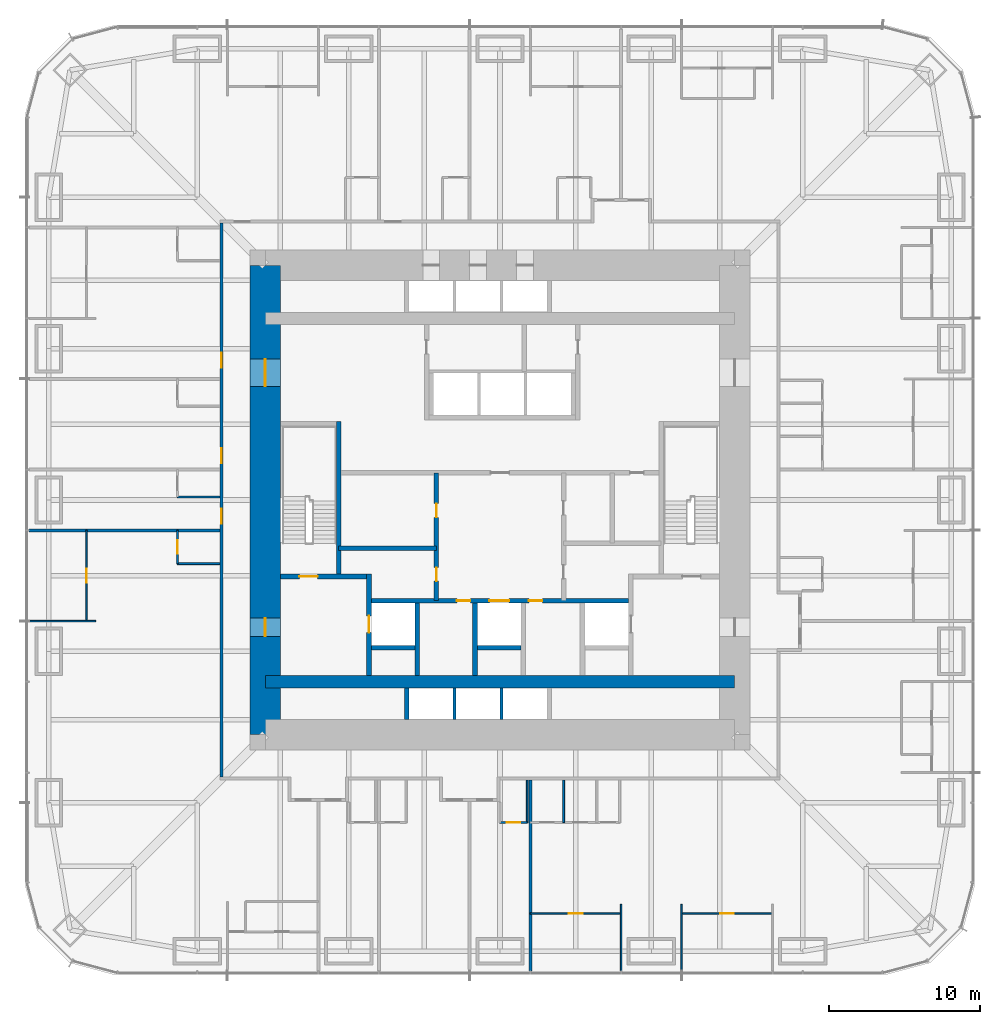
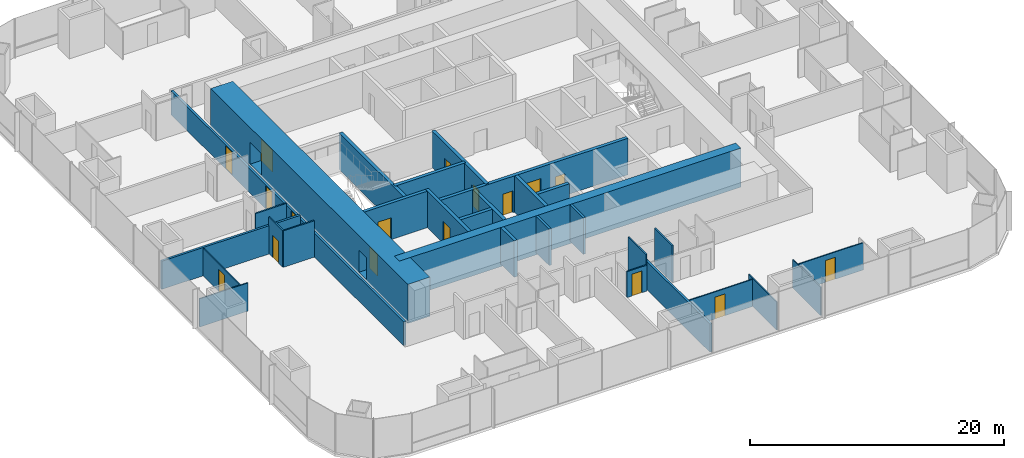
# One storey, part 12 of 16: 30 walls, 17 doors, 17 openings.
"""IFC4 building model written with IfcOpenShell, lengths in metres."""

from ifc_helpers import new_model, si_unit, direction, frame, frame_2d, origin, place, context, subcontext, project, spatial, rectangle, extrude, material, layer, layer_set, type_object, element, fill, save


model = new_model("IFC4")

# Units and contexts
model_context = context("Model", 3, precision=1e-05, world=origin(), true_north=direction((0.0, 1.0)))
body_context = subcontext(model_context, "Body", "Model", "MODEL_VIEW")
ifc_project = project(units=[si_unit("LENGTHUNIT", "METRE"), si_unit("AREAUNIT", "SQUARE_METRE"), si_unit("VOLUMEUNIT", "CUBIC_METRE"), si_unit("PLANEANGLEUNIT", "RADIAN"), si_unit("MASSUNIT", "GRAM", prefix="KILO")], contexts=[model_context])

# Site, building, storey
site_placement = place(None, origin())
site = spatial("IfcSite", under=ifc_project, at=site_placement, CompositionType="ELEMENT")
building_placement = place(site_placement, origin())
building = spatial("IfcBuilding", under=site, at=building_placement, Name="Khuree Lantern Residences", CompositionType="ELEMENT")
storey_placement = place(building_placement, frame((0.0, 0.0, 66.0)))
storey = spatial("IfcBuildingStorey", under=building, at=storey_placement, Name="L16", CompositionType="ELEMENT", Elevation=66.0)

# Wall
ifc_material_1 = material(Name="Moisture-resistant gypsum board on steel studs", Category="steel")
ifc_layer_1 = layer(ifc_material_1, 0.125)
ifc_layer_set_1 = layer_set([ifc_layer_1], Name="BATHROOM WALL BTW125")
wall_type_1 = type_object("IfcWallType", Name="BATHROOM WALL BTW125", PredefinedType="PARTITIONING", material=ifc_layer_set_1)
wall_1_placement = place(storey_placement, frame((-18.5, 0.199951171875, 0.0), z_axis=(0.0, 0.0, 1.0), x_axis=(-1.0, 0.0, 0.0)))
element("IfcWall", 1, at=wall_1_placement, inside=storey, type_object=wall_type_1, Name="L16 BATHROOM WALL 08", PredefinedType="PARTITIONING", context=body_context, shape_type="SweptSolid", body=[
    extrude(rectangle(XDim=2.800048828125, YDim=0.125, at=frame_2d((1.39990234375, 0.0))), origin(), (0.0, 0.0, 1.0), 2.491943359375),
])

# Wall, opening, door
wall_2_placement = place(storey_placement, frame((-21.300048828125, -2.0, 0.0), z_axis=(0.0, 0.0, 1.0), x_axis=(0.0, -1.0, 0.0)))
wall_2 = element("IfcWall", 2, at=wall_2_placement, inside=storey, type_object=wall_type_1, Name="L16 BATHROOM WALL 09", PredefinedType="PARTITIONING", context=body_context, shape_type="SweptSolid", body=[
    extrude(rectangle(XDim=2.199951171875, YDim=0.125, at=frame_2d((1.10009765625, 0.0))), origin(), (0.0, 0.0, 1.0), 3.5),
])
opening_1_placement = place(wall_2_placement, frame((0.64990234375, 0.0, 0.0)))
opening_1 = element("IfcOpeningElement", 3, at=opening_1_placement, cuts=wall_2, Name="Opening 16-053", PredefinedType="OPENING", context=body_context, shape_type="SweptSolid", body=[
    extrude(rectangle(XDim=0.89990234375, YDim=2.10009765625, at=frame_2d((0.449951171875, 1.050048828125))), frame((0.0, 0.072509765625, 0.0), z_axis=(0.0, -1.0, 0.0), x_axis=(1.0, 0.0, 0.0)), (0.0, 0.0, 1.0), 0.14501953125),
])
ifc_material_2 = material(Name="Timber door leaf in hardwood frame", Category="wood")
door_type_1 = type_object("IfcDoorType", Name="BATHROOM DOOR 900X2100", OperationType="SINGLE_SWING_LEFT", PredefinedType="DOOR", material=ifc_material_2)
door_1_placement = place(opening_1_placement, origin())
door_1 = element("IfcDoor", 4, at=door_1_placement, inside=storey, type_object=door_type_1, Name="Bathroom door 16-053", OperationType="SINGLE_SWING_LEFT", OverallHeight=2.10009765625, OverallWidth=0.89990234375, PredefinedType="DOOR", context=body_context, shape_type="SweptSolid", body=[
    extrude(rectangle(XDim=0.89990234375, YDim=2.10009765625, at=frame_2d((0.449951171875, 1.050048828125))), frame((0.0, 0.02490234375, 0.0), z_axis=(0.0, -1.0, 0.0), x_axis=(1.0, 0.0, 0.0)), (0.0, 0.0, 1.0), 0.050048828125),
])
fill(opening_1, door_1)

# Wall
wall_3_placement = place(storey_placement, frame((-18.5, -4.199951171875, 0.0), z_axis=(0.0, 0.0, 1.0), x_axis=(-1.0, 0.0, 0.0)))
element("IfcWall", 5, at=wall_3_placement, inside=storey, type_object=wall_type_1, Name="L16 BATHROOM WALL 09", PredefinedType="PARTITIONING", context=body_context, shape_type="SweptSolid", body=[
    extrude(rectangle(XDim=2.800048828125, YDim=0.125, at=frame_2d((1.39990234375, 0.0))), origin(), (0.0, 0.0, 1.0), 3.5),
])

# Wall, opening, door
wall_4_placement = place(storey_placement, frame((0.0, -21.300048828125, 0.0), z_axis=(0.0, 0.0, 1.0), x_axis=(1.0, 0.0, 0.0)))
wall_4 = element("IfcWall", 6, at=wall_4_placement, inside=storey, type_object=wall_type_1, Name="L16 BATHROOM WALL 12", PredefinedType="PARTITIONING", context=body_context, shape_type="SweptSolid", body=[
    extrude(rectangle(XDim=1.800048828125, YDim=0.125, at=frame_2d((0.89990234375, 0.0))), origin(), (0.0, 0.0, 1.0), 2.491943359375),
])
opening_2_placement = place(wall_4_placement, frame((0.449951171875, 0.0, 0.0)))
opening_2 = element("IfcOpeningElement", 7, at=opening_2_placement, cuts=wall_4, Name="Opening 16-059", PredefinedType="OPENING", context=body_context, shape_type="SweptSolid", body=[
    extrude(rectangle(XDim=0.89990234375, YDim=2.10009765625, at=frame_2d((0.449951171875, 1.050048828125))), frame((0.0, 0.072509765625, 0.0), z_axis=(0.0, -1.0, 0.0), x_axis=(1.0, 0.0, 0.0)), (0.0, 0.0, 1.0), 0.14501953125),
])
door_2_placement = place(opening_2_placement, origin())
door_2 = element("IfcDoor", 8, at=door_2_placement, inside=storey, type_object=door_type_1, Name="Bathroom door 16-059", OperationType="SINGLE_SWING_LEFT", OverallHeight=2.10009765625, OverallWidth=0.89990234375, PredefinedType="DOOR", context=body_context, shape_type="SweptSolid", body=[
    extrude(rectangle(XDim=0.89990234375, YDim=2.10009765625, at=frame_2d((0.449951171875, 1.050048828125))), frame((0.0, 0.02490234375, 0.0), z_axis=(0.0, -1.0, 0.0), x_axis=(1.0, 0.0, 0.0)), (0.0, 0.0, 1.0), 0.050048828125),
])
fill(opening_2, door_2)

# Walls
for number, where, z_axis, x_axis, name in (
    (9, (1.800048828125, -18.5, 0.0), (0.0, 0.0, 1.0), (0.0, -1.0, 0.0), "L16 BATHROOM WALL 12"),
    (10, (4.199951171875, -18.5, 0.0), (0.0, 0.0, 1.0), (0.0, -1.0, 0.0), "L16 BATHROOM WALL 13"),
):
    element("IfcWall", number, at=place(storey_placement, frame(where, z_axis=z_axis, x_axis=x_axis)), inside=storey, type_object=wall_type_1, Name=name, PredefinedType="PARTITIONING", context=body_context, shape_type="SweptSolid", body=[
        extrude(rectangle(XDim=2.800048828125, YDim=0.125, at=frame_2d((1.39990234375, 0.0))), origin(), (0.0, 0.0, 1.0), 3.5),
    ])

# Wall, opening, door
ifc_material_3 = material(Name="Dense concrete blockwork", Category="masonry")
ifc_layer_2 = layer(ifc_material_3, 0.300048828125)
ifc_layer_set_2 = layer_set([ifc_layer_2], Name="CORE PARTITION WALL CPW300 EI 120")
wall_type_2 = type_object("IfcWallType", Name="CORE PARTITION WALL CPW300 EI 120", PredefinedType="PARTITIONING", material=ifc_layer_set_2)
wall_5_placement = place(storey_placement, frame((-8.64990234375, -11.60009765625, 0.0), z_axis=(0.0, 0.0, 1.0), x_axis=(0.0, 1.0, 0.0)))
wall_5 = element("IfcWall", 11, at=wall_5_placement, inside=storey, type_object=wall_type_2, Name="L16 CORE WALL FL1W", PredefinedType="PARTITIONING", context=body_context, shape_type="SweptSolid", body=[
    extrude(rectangle(XDim=6.7001953125, YDim=0.300048828125, at=frame_2d((3.35009765625, 0.0))), origin(), (0.0, 0.0, 1.0), 3.5),
])
opening_3_placement = place(wall_5_placement, frame((2.85009765625, 0.0, 0.0)))
opening_3 = element("IfcOpeningElement", 12, at=opening_3_placement, cuts=wall_5, Name="Opening 16-007", PredefinedType="OPENING", context=body_context, shape_type="SweptSolid", body=[
    extrude(rectangle(XDim=1.10009765625, YDim=2.10009765625, at=frame_2d((0.550048828125, 1.050048828125))), frame((0.0, 0.16015625, 0.0), z_axis=(0.0, -1.0, 0.0), x_axis=(1.0, 0.0, 0.0)), (0.0, 0.0, 1.0), 0.320068359375),
])
ifc_material_4 = material(Name="Stainless steel lift landing door", Category="steel")
door_type_2 = type_object("IfcDoorType", Name="LIFT LANDING DOOR 1100X2100 E 120", OperationType="DOUBLE_DOOR_SLIDING", PredefinedType="DOOR", material=ifc_material_4)
door_3_placement = place(opening_3_placement, origin())
door_3 = element("IfcDoor", 13, at=door_3_placement, inside=storey, type_object=door_type_2, Name="Landing door FL1 16-007", OperationType="DOUBLE_DOOR_SLIDING", OverallHeight=2.10009765625, OverallWidth=1.10009765625, PredefinedType="DOOR", context=body_context, shape_type="SweptSolid", body=[
    extrude(rectangle(XDim=1.10009765625, YDim=2.10009765625, at=frame_2d((0.550048828125, 1.050048828125))), frame((0.0, 0.02490234375, 0.0), z_axis=(0.0, -1.0, 0.0), x_axis=(1.0, 0.0, 0.0)), (0.0, 0.0, 1.0), 0.050048828125),
])
fill(opening_3, door_3)

# Wall, openings, doors
wall_6_placement = place(storey_placement, frame((-8.5, -6.64990234375, 0.0), z_axis=(0.0, 0.0, 1.0), x_axis=(1.0, 0.0, 0.0)))
wall_6 = element("IfcWall", 14, at=wall_6_placement, inside=storey, type_object=wall_type_2, Name="L16 CORE WALL FLROW", PredefinedType="PARTITIONING", context=body_context, shape_type="SweptSolid", body=[
    extrude(rectangle(XDim=17.0, YDim=0.300048828125, at=frame_2d((8.5, 0.0))), origin(), (0.0, 0.0, 1.0), 3.5),
])
opening_4_placement = place(wall_6_placement, frame((7.800048828125, 0.0, 0.0)))
opening_4 = element("IfcOpeningElement", 15, at=opening_4_placement, cuts=wall_6, Name="Opening 16-012", PredefinedType="OPENING", context=body_context, shape_type="SweptSolid", body=[
    extrude(rectangle(XDim=1.300048828125, YDim=2.39990234375, at=frame_2d((0.64990234375, 1.199951171875))), frame((0.0, 0.16015625, 0.0), z_axis=(0.0, -1.0, 0.0), x_axis=(1.0, 0.0, 0.0)), (0.0, 0.0, 1.0), 0.320068359375),
])
opening_5_placement = place(wall_6_placement, frame((5.64990234375, 0.0, 0.0)))
opening_5 = element("IfcOpeningElement", 16, at=opening_5_placement, cuts=wall_6, Name="Opening 16-014", PredefinedType="OPENING", context=body_context, shape_type="SweptSolid", body=[
    extrude(rectangle(XDim=0.89990234375, YDim=2.10009765625, at=frame_2d((0.449951171875, 1.050048828125))), frame((0.0, 0.16015625, 0.0), z_axis=(0.0, -1.0, 0.0), x_axis=(1.0, 0.0, 0.0)), (0.0, 0.0, 1.0), 0.320068359375),
])
opening_6_placement = place(wall_6_placement, frame((10.39990234375, 0.0, 0.0)))
opening_6 = element("IfcOpeningElement", 17, at=opening_6_placement, cuts=wall_6, Name="Opening 16-015", PredefinedType="OPENING", context=body_context, shape_type="SweptSolid", body=[
    extrude(rectangle(XDim=0.89990234375, YDim=2.10009765625, at=frame_2d((0.449951171875, 1.050048828125))), frame((0.0, 0.16015625, 0.0), z_axis=(0.0, -1.0, 0.0), x_axis=(1.0, 0.0, 0.0)), (0.0, 0.0, 1.0), 0.320068359375),
])
ifc_material_5 = material(Name="Steel door leaf in steel frame", Category="steel")
door_type_3 = type_object("IfcDoorType", Name="DOOR 900X2100 EI 60", OperationType="SINGLE_SWING_LEFT", PredefinedType="DOOR", material=ifc_material_5)
door_4_placement = place(opening_5_placement, origin())
door_4 = element("IfcDoor", 18, at=door_4_placement, inside=storey, type_object=door_type_3, Name="Refuse chute room door 16-014", OperationType="SINGLE_SWING_LEFT", OverallHeight=2.10009765625, OverallWidth=0.89990234375, PredefinedType="DOOR", context=body_context, shape_type="SweptSolid", body=[
    extrude(rectangle(XDim=0.89990234375, YDim=2.10009765625, at=frame_2d((0.449951171875, 1.050048828125))), frame((0.0, 0.02490234375, 0.0), z_axis=(0.0, -1.0, 0.0), x_axis=(1.0, 0.0, 0.0)), (0.0, 0.0, 1.0), 0.050048828125),
])
fill(opening_5, door_4)
door_type_4 = type_object("IfcDoorType", Name="DOOR 900X2100 EI 60 RIGHT HAND", OperationType="SINGLE_SWING_RIGHT", PredefinedType="DOOR", material=ifc_material_5)
door_5_placement = place(opening_6_placement, origin())
door_5 = element("IfcDoor", 19, at=door_5_placement, inside=storey, type_object=door_type_4, Name="Electrical and plumbing riser door 16-015", OperationType="SINGLE_SWING_RIGHT", OverallHeight=2.10009765625, OverallWidth=0.89990234375, PredefinedType="DOOR", context=body_context, shape_type="SweptSolid", body=[
    extrude(rectangle(XDim=0.89990234375, YDim=2.10009765625, at=frame_2d((0.449951171875, 1.050048828125))), frame((0.0, 0.02490234375, 0.0), z_axis=(0.0, -1.0, 0.0), x_axis=(1.0, 0.0, 0.0)), (0.0, 0.0, 1.0), 0.050048828125),
])
fill(opening_6, door_5)
door_type_5 = type_object("IfcDoorType", Name="LIFT LANDING DOOR 1300X2400 E 60", OperationType="DOUBLE_DOOR_SLIDING", PredefinedType="DOOR", material=ifc_material_4)
door_6_placement = place(opening_4_placement, origin())
door_6 = element("IfcDoor", 20, at=door_6_placement, inside=storey, type_object=door_type_5, Name="Landing door SL1 16-012", OperationType="DOUBLE_DOOR_SLIDING", OverallHeight=2.39990234375, OverallWidth=1.300048828125, PredefinedType="DOOR", context=body_context, shape_type="SweptSolid", body=[
    extrude(rectangle(XDim=1.300048828125, YDim=2.39990234375, at=frame_2d((0.64990234375, 1.199951171875))), frame((0.0, 0.02490234375, 0.0), z_axis=(0.0, -1.0, 0.0), x_axis=(1.0, 0.0, 0.0)), (0.0, 0.0, 1.0), 0.050048828125),
])
fill(opening_4, door_6)

# Walls
for number, where, z_axis, x_axis, name in (
    (21, (-5.449951171875, -11.60009765625, 0.0), (0.0, 0.0, 1.0), (0.0, 1.0, 0.0), "L16 CORE WALL FL1E"),
    (22, (-1.64990234375, -11.60009765625, 0.0), (0.0, 0.0, 1.0), (0.0, 1.0, 0.0), "L16 CORE WALL SL1W"),
):
    element("IfcWall", number, at=place(storey_placement, frame(where, z_axis=z_axis, x_axis=x_axis)), inside=storey, type_object=wall_type_2, Name=name, PredefinedType="PARTITIONING", context=body_context, shape_type="SweptSolid", body=[
        extrude(rectangle(XDim=4.800048828125, YDim=0.300048828125, at=frame_2d((2.39990234375, 0.0))), origin(), (0.0, 0.0, 1.0), 3.5),
    ])
for number, where, z_axis, x_axis, name in (
    (23, (-8.5, -9.75, 0.0), (0.0, 0.0, 1.0), (1.0, 0.0, 0.0), "L16 CORE WALL FL1S"),
    (24, (-1.5, -9.75, 0.0), (0.0, 0.0, 1.0), (1.0, 0.0, 0.0), "L16 CORE WALL SL1S"),
):
    element("IfcWall", number, at=place(storey_placement, frame(where, z_axis=z_axis, x_axis=x_axis)), inside=storey, type_object=wall_type_2, Name=name, PredefinedType="PARTITIONING", context=body_context, shape_type="SweptSolid", body=[
        extrude(rectangle(XDim=2.89990234375, YDim=0.300048828125, at=frame_2d((1.449951171875, 0.0))), origin(), (0.0, 0.0, 1.0), 3.5),
    ])
wall_7_placement = place(storey_placement, frame((-6.14990234375, -14.5, 0.0), z_axis=(0.0, 0.0, 1.0), x_axis=(0.0, 1.0, 0.0)))
element("IfcWall", 25, at=wall_7_placement, inside=storey, type_object=wall_type_2, Name="L16 CORE WALL PMW", PredefinedType="PARTITIONING", context=body_context, shape_type="SweptSolid", body=[
    extrude(rectangle(XDim=2.10009765625, YDim=0.300048828125, at=frame_2d((1.050048828125, 0.0))), origin(), (0.0, 0.0, 1.0), 3.5),
])

# Wall, openings, doors
wall_8_placement = place(storey_placement, frame((-4.199951171875, -6.64990234375, 0.0), z_axis=(0.0, 0.0, 1.0), x_axis=(0.0, 1.0, 0.0)))
wall_8 = element("IfcWall", 26, at=wall_8_placement, inside=storey, type_object=wall_type_2, Name="L16 CORE WALL SVW", PredefinedType="PARTITIONING", context=body_context, shape_type="SweptSolid", body=[
    extrude(rectangle(XDim=8.449951171875, YDim=0.300048828125, at=frame_2d((4.22509765625, 0.0))), origin(), (0.0, 0.0, 1.0), 3.5),
])
opening_7_placement = place(wall_8_placement, frame((1.284912109375, 0.0, 0.0)))
opening_7 = element("IfcOpeningElement", 27, at=opening_7_placement, cuts=wall_8, Name="Opening 16-016", PredefinedType="OPENING", context=body_context, shape_type="SweptSolid", body=[
    extrude(rectangle(XDim=0.89990234375, YDim=2.10009765625, at=frame_2d((0.449951171875, 1.050048828125))), frame((0.0, 0.16015625, 0.0), z_axis=(0.0, -1.0, 0.0), x_axis=(1.0, 0.0, 0.0)), (0.0, 0.0, 1.0), 0.320068359375),
])
opening_8_placement = place(wall_8_placement, frame((5.510009765625, 0.0, 0.0)))
opening_8 = element("IfcOpeningElement", 28, at=opening_8_placement, cuts=wall_8, Name="Opening 16-017", PredefinedType="OPENING", context=body_context, shape_type="SweptSolid", body=[
    extrude(rectangle(XDim=0.89990234375, YDim=2.10009765625, at=frame_2d((0.449951171875, 1.050048828125))), frame((0.0, 0.16015625, 0.0), z_axis=(0.0, -1.0, 0.0), x_axis=(1.0, 0.0, 0.0)), (0.0, 0.0, 1.0), 0.320068359375),
])
door_type_6 = type_object("IfcDoorType", Name="DOOR 900X2100", OperationType="SINGLE_SWING_LEFT", PredefinedType="DOOR", material=ifc_material_2)
door_7_placement = place(opening_7_placement, origin())
door_7 = element("IfcDoor", 29, at=door_7_placement, inside=storey, type_object=door_type_6, Name="Parcel room door 16-016", OperationType="SINGLE_SWING_LEFT", OverallHeight=2.10009765625, OverallWidth=0.89990234375, PredefinedType="DOOR", context=body_context, shape_type="SweptSolid", body=[
    extrude(rectangle(XDim=0.89990234375, YDim=2.10009765625, at=frame_2d((0.449951171875, 1.050048828125))), frame((0.0, 0.02490234375, 0.0), z_axis=(0.0, -1.0, 0.0), x_axis=(1.0, 0.0, 0.0)), (0.0, 0.0, 1.0), 0.050048828125),
])
fill(opening_7, door_7)
door_8_placement = place(opening_8_placement, origin())
door_8 = element("IfcDoor", 30, at=door_8_placement, inside=storey, type_object=door_type_6, Name="Residents' store door 16-017", OperationType="SINGLE_SWING_LEFT", OverallHeight=2.10009765625, OverallWidth=0.89990234375, PredefinedType="DOOR", context=body_context, shape_type="SweptSolid", body=[
    extrude(rectangle(XDim=0.89990234375, YDim=2.10009765625, at=frame_2d((0.449951171875, 1.050048828125))), frame((0.0, 0.02490234375, 0.0), z_axis=(0.0, -1.0, 0.0), x_axis=(1.0, 0.0, 0.0)), (0.0, 0.0, 1.0), 0.050048828125),
])
fill(opening_8, door_8)

# Wall
wall_9_placement = place(storey_placement, frame((-10.64990234375, -3.179931640625, 0.0), z_axis=(0.0, 0.0, 1.0), x_axis=(1.0, 0.0, 0.0)))
element("IfcWall", 31, at=wall_9_placement, inside=storey, type_object=wall_type_2, Name="L16 CORE WALL WX", PredefinedType="PARTITIONING", context=body_context, shape_type="SweptSolid", body=[
    extrude(rectangle(XDim=6.449951171875, YDim=0.300048828125, at=frame_2d((3.22509765625, 0.0))), origin(), (0.0, 0.0, 1.0), 3.5),
])

# Wall, openings, doors
ifc_material_6 = material(Name="Gypsum board on steel studs", Category="steel")
ifc_layer_3 = layer(ifc_material_6, 0.199951171875)
ifc_layer_set_3 = layer_set([ifc_layer_3], Name="CORRIDOR WALL CRW200 EI 60")
wall_type_3 = type_object("IfcWallType", Name="CORRIDOR WALL CRW200 EI 60", PredefinedType="PARTITIONING", material=ifc_layer_set_3)
wall_10_placement = place(storey_placement, frame((-18.39990234375, 18.300048828125, 0.0), z_axis=(0.0, 0.0, 1.0), x_axis=(0.0, -1.0, 0.0)))
wall_10 = element("IfcWall", 32, at=wall_10_placement, inside=storey, type_object=wall_type_3, Name="L16 CORRIDOR WALL WEST 1", PredefinedType="PARTITIONING", context=body_context, shape_type="SweptSolid", body=[
    extrude(rectangle(XDim=36.60009765625, YDim=0.199951171875, at=frame_2d((18.300048828125, 0.0))), origin(), (0.0, 0.0, 1.0), 2.300048828125),
])
opening_9_placement = place(wall_10_placement, frame((8.570068359375, 0.0, 0.0)))
opening_9 = element("IfcOpeningElement", 33, at=opening_9_placement, cuts=wall_10, Name="Opening 16-045", PredefinedType="OPENING", context=body_context, shape_type="SweptSolid", body=[
    extrude(rectangle(XDim=1.0, YDim=2.199951171875, at=frame_2d((0.5, 1.10009765625))), frame((0.0, 0.10986328125, 0.0), z_axis=(0.0, -1.0, 0.0), x_axis=(1.0, 0.0, 0.0)), (0.0, 0.0, 1.0), 0.219970703125),
])
opening_10_placement = place(wall_10_placement, frame((14.8701171875, 0.0, 0.0)))
opening_10 = element("IfcOpeningElement", 34, at=opening_10_placement, cuts=wall_10, Name="Opening 16-047", PredefinedType="OPENING", context=body_context, shape_type="SweptSolid", body=[
    extrude(rectangle(XDim=1.0, YDim=2.199951171875, at=frame_2d((0.5, 1.10009765625))), frame((0.0, 0.10986328125, 0.0), z_axis=(0.0, -1.0, 0.0), x_axis=(1.0, 0.0, 0.0)), (0.0, 0.0, 1.0), 0.219970703125),
])
opening_11_placement = place(wall_10_placement, frame((18.8701171875, 0.0, 0.0)))
opening_11 = element("IfcOpeningElement", 35, at=opening_11_placement, cuts=wall_10, Name="Opening 16-049", PredefinedType="OPENING", context=body_context, shape_type="SweptSolid", body=[
    extrude(rectangle(XDim=1.0, YDim=2.199951171875, at=frame_2d((0.5, 1.10009765625))), frame((0.0, 0.10986328125, 0.0), z_axis=(0.0, -1.0, 0.0), x_axis=(1.0, 0.0, 0.0)), (0.0, 0.0, 1.0), 0.219970703125),
])
door_type_7 = type_object("IfcDoorType", Name="APARTMENT ENTRANCE DOOR 1000X2200 EI 30S", OperationType="SINGLE_SWING_LEFT", PredefinedType="DOOR", material=ifc_material_2)
door_9_placement = place(opening_9_placement, origin())
door_9 = element("IfcDoor", 36, at=door_9_placement, inside=storey, type_object=door_type_7, Name="Apartment 06 entrance door 16-045", OperationType="SINGLE_SWING_LEFT", OverallHeight=2.199951171875, OverallWidth=1.0, PredefinedType="DOOR", context=body_context, shape_type="SweptSolid", body=[
    extrude(rectangle(XDim=1.0, YDim=2.199951171875, at=frame_2d((0.5, 1.10009765625))), frame((0.0, 0.02490234375, 0.0), z_axis=(0.0, -1.0, 0.0), x_axis=(1.0, 0.0, 0.0)), (0.0, 0.0, 1.0), 0.050048828125),
])
fill(opening_9, door_9)
door_10_placement = place(opening_10_placement, origin())
door_10 = element("IfcDoor", 37, at=door_10_placement, inside=storey, type_object=door_type_7, Name="Apartment 07 entrance door 16-047", OperationType="SINGLE_SWING_LEFT", OverallHeight=2.199951171875, OverallWidth=1.0, PredefinedType="DOOR", context=body_context, shape_type="SweptSolid", body=[
    extrude(rectangle(XDim=1.0, YDim=2.199951171875, at=frame_2d((0.5, 1.10009765625))), frame((0.0, 0.02490234375, 0.0), z_axis=(0.0, -1.0, 0.0), x_axis=(1.0, 0.0, 0.0)), (0.0, 0.0, 1.0), 0.050048828125),
])
fill(opening_10, door_10)
door_11_placement = place(opening_11_placement, origin())
door_11 = element("IfcDoor", 38, at=door_11_placement, inside=storey, type_object=door_type_7, Name="Apartment 08 entrance door 16-049", OperationType="SINGLE_SWING_LEFT", OverallHeight=2.199951171875, OverallWidth=1.0, PredefinedType="DOOR", context=body_context, shape_type="SweptSolid", body=[
    extrude(rectangle(XDim=1.0, YDim=2.199951171875, at=frame_2d((0.5, 1.10009765625))), frame((0.0, 0.02490234375, 0.0), z_axis=(0.0, -1.0, 0.0), x_axis=(1.0, 0.0, 0.0)), (0.0, 0.0, 1.0), 0.050048828125),
])
fill(opening_11, door_11)

ifc_material_7 = material(Name="Concrete C70/85", Category="concrete")
ifc_layer_4 = layer(ifc_material_7, 2.0)
ifc_layer_set_4 = layer_set([ifc_layer_4], Name="CW2000-C70 CORE WALL C70 2000")
wall_type_4 = type_object("IfcWallType", Name="CW2000-C70 CORE WALL C70 2000", PredefinedType="SHEAR", material=ifc_layer_set_4)
wall_11_placement = place(storey_placement, frame((-15.5, -15.5, -0.25), z_axis=(0.0, 0.0, 1.0), x_axis=(0.0, 1.0, 0.0)))
wall_11 = element("IfcWall", 39, at=wall_11_placement, inside=storey, type_object=wall_type_4, Name="Core wall W", PredefinedType="SHEAR", context=body_context, shape_type="SweptSolid", body=[
    extrude(rectangle(XDim=31.0, YDim=2.0, at=frame_2d((15.5, 0.0))), origin(), (0.0, 0.0, 1.0), 3.75),
])
opening_12_placement = place(wall_11_placement, frame((6.5, 0.0, 0.25)))
opening_12 = element("IfcOpeningElement", 40, at=opening_12_placement, cuts=wall_11, Name="Opening 16-002", PredefinedType="OPENING", context=body_context, shape_type="SweptSolid", body=[
    extrude(rectangle(XDim=1.199951171875, YDim=2.10009765625, at=frame_2d((0.60009765625, 1.050048828125))), frame((0.0, 1.010009765625, 0.0), z_axis=(0.0, -1.0, 0.0), x_axis=(1.0, 0.0, 0.0)), (0.0, 0.0, 1.0), 2.02001953125),
])
opening_13_placement = place(wall_11_placement, frame((23.0, 0.0, 0.25)))
opening_13 = element("IfcOpeningElement", 41, at=opening_13_placement, cuts=wall_11, Name="Opening 16-003", PredefinedType="OPENING", context=body_context, shape_type="SweptSolid", body=[
    extrude(rectangle(XDim=1.800048828125, YDim=2.10009765625, at=frame_2d((0.89990234375, 1.050048828125))), frame((0.0, 1.010009765625, 0.0), z_axis=(0.0, -1.0, 0.0), x_axis=(1.0, 0.0, 0.0)), (0.0, 0.0, 1.0), 2.02001953125),
])
door_type_8 = type_object("IfcDoorType", Name="LOBBY DOOR 1200X2100 EI 120", OperationType="SINGLE_SWING_LEFT", PredefinedType="DOOR", material=ifc_material_5)
door_12_placement = place(opening_12_placement, origin())
door_12 = element("IfcDoor", 42, at=door_12_placement, inside=storey, type_object=door_type_8, Name="Firefighting lobby door 16-002", OperationType="SINGLE_SWING_LEFT", OverallHeight=2.10009765625, OverallWidth=1.199951171875, PredefinedType="DOOR", context=body_context, shape_type="SweptSolid", body=[
    extrude(rectangle(XDim=1.199951171875, YDim=2.10009765625, at=frame_2d((0.60009765625, 1.050048828125))), frame((0.0, 0.02490234375, 0.0), z_axis=(0.0, -1.0, 0.0), x_axis=(1.0, 0.0, 0.0)), (0.0, 0.0, 1.0), 0.050048828125),
])
fill(opening_12, door_12)
door_type_9 = type_object("IfcDoorType", Name="LOBBY DOUBLE DOOR 1800X2100 EI 60", OperationType="DOUBLE_DOOR_SINGLE_SWING", PredefinedType="DOOR", material=ifc_material_5)
door_13_placement = place(opening_13_placement, origin())
door_13 = element("IfcDoor", 43, at=door_13_placement, inside=storey, type_object=door_type_9, Name="Lift lobby door 16-003", OperationType="DOUBLE_DOOR_SINGLE_SWING", OverallHeight=2.10009765625, OverallWidth=1.800048828125, PredefinedType="DOOR", context=body_context, shape_type="SweptSolid", body=[
    extrude(rectangle(XDim=1.800048828125, YDim=2.10009765625, at=frame_2d((0.89990234375, 1.050048828125))), frame((0.0, 0.02490234375, 0.0), z_axis=(0.0, -1.0, 0.0), x_axis=(1.0, 0.0, 0.0)), (0.0, 0.0, 1.0), 0.050048828125),
])
fill(opening_13, door_13)

# Walls
ifc_layer_5 = layer(ifc_material_6, 0.199951171875)
ifc_layer_set_5 = layer_set([ifc_layer_5], Name="DEMISING WALL DMW200 EI 90")
wall_type_5 = type_object("IfcWallType", Name="DEMISING WALL DMW200 EI 90", PredefinedType="PARTITIONING", material=ifc_layer_set_5)
for number, where, z_axis, x_axis, name in (
    (44, (-18.5, -2.0, 0.0), (0.0, 0.0, 1.0), (-1.0, 0.0, 0.0), "L16 DEMISING WALL 09"),
    (45, (2.0, -18.5, 0.0), (0.0, 0.0, 1.0), (0.0, -1.0, 0.0), "L16 DEMISING WALL 13"),
):
    element("IfcWall", number, at=place(storey_placement, frame(where, z_axis=z_axis, x_axis=x_axis)), inside=storey, type_object=wall_type_5, Name=name, PredefinedType="PARTITIONING", context=body_context, shape_type="SweptSolid", body=[
        extrude(rectangle(XDim=12.60009765625, YDim=0.199951171875, at=frame_2d((6.300048828125, 0.0))), origin(), (0.0, 0.0, 1.0), 2.7099609375),
    ])
ifc_layer_6 = layer(ifc_material_6, 0.10009765625)
ifc_layer_set_6 = layer_set([ifc_layer_6], Name="PARTITION PT100")
wall_type_6 = type_object("IfcWallType", Name="PARTITION PT100", PredefinedType="PARTITIONING", material=ifc_layer_set_6)
for number, where, z_axis, x_axis, name in (
    (46, (-26.699951171875, -8.0, 0.0), (0.0, 0.0, 1.0), (-1.0, 0.0, 0.0), "L16 PARTITION 09"),
    (47, (8.0, -26.699951171875, 0.0), (0.0, 0.0, 1.0), (0.0, -1.0, 0.0), "L16 PARTITION 13"),
    (48, (12.0, -26.699951171875, 0.0), (0.0, 0.0, 1.0), (0.0, -1.0, 0.0), "L16 PARTITION 13"),
):
    element("IfcWall", number, at=place(storey_placement, frame(where, z_axis=z_axis, x_axis=x_axis)), inside=storey, type_object=wall_type_6, Name=name, PredefinedType="PARTITIONING", context=body_context, shape_type="SweptSolid", body=[
        extrude(rectangle(XDim=4.400146484375, YDim=0.10009765625, at=frame_2d((2.2001953125, 0.0))), origin(), (0.0, 0.0, 1.0), 2.7099609375),
    ])

# Wall, opening, door
wall_12_placement = place(storey_placement, frame((-27.300048828125, -2.0, 0.0), z_axis=(0.0, 0.0, 1.0), x_axis=(0.0, -1.0, 0.0)))
wall_12 = element("IfcWall", 49, at=wall_12_placement, inside=storey, type_object=wall_type_6, Name="L16 PARTITION 09", PredefinedType="PARTITIONING", context=body_context, shape_type="SweptSolid", body=[
    extrude(rectangle(XDim=6.0, YDim=0.10009765625, at=frame_2d((3.0, 0.0))), origin(), (0.0, 0.0, 1.0), 2.610107421875),
])
opening_14_placement = place(wall_12_placement, frame((2.550048828125, 0.0, 0.0)))
opening_14 = element("IfcOpeningElement", 50, at=opening_14_placement, cuts=wall_12, Name="Opening 16-050", PredefinedType="OPENING", context=body_context, shape_type="SweptSolid", body=[
    extrude(rectangle(XDim=0.89990234375, YDim=2.10009765625, at=frame_2d((0.449951171875, 1.050048828125))), frame((0.0, 0.06005859375, 0.0), z_axis=(0.0, -1.0, 0.0), x_axis=(1.0, 0.0, 0.0)), (0.0, 0.0, 1.0), 0.1201171875),
])
door_type_10 = type_object("IfcDoorType", Name="BEDROOM DOOR 900X2100", OperationType="SINGLE_SWING_LEFT", PredefinedType="DOOR", material=ifc_material_2)
door_14_placement = place(opening_14_placement, origin())
door_14 = element("IfcDoor", 51, at=door_14_placement, inside=storey, type_object=door_type_10, Name="Bedroom door 16-050", OperationType="SINGLE_SWING_LEFT", OverallHeight=2.10009765625, OverallWidth=0.89990234375, PredefinedType="DOOR", context=body_context, shape_type="SweptSolid", body=[
    extrude(rectangle(XDim=0.89990234375, YDim=2.10009765625, at=frame_2d((0.449951171875, 1.050048828125))), frame((0.0, 0.02490234375, 0.0), z_axis=(0.0, -1.0, 0.0), x_axis=(1.0, 0.0, 0.0)), (0.0, 0.0, 1.0), 0.050048828125),
])
fill(opening_14, door_14)

wall_13_placement = place(storey_placement, frame((2.0, -27.300048828125, 0.0), z_axis=(0.0, 0.0, 1.0), x_axis=(1.0, 0.0, 0.0)))
wall_13 = element("IfcWall", 52, at=wall_13_placement, inside=storey, type_object=wall_type_6, Name="L16 PARTITION 13", PredefinedType="PARTITIONING", context=body_context, shape_type="SweptSolid", body=[
    extrude(rectangle(XDim=6.0, YDim=0.10009765625, at=frame_2d((3.0, 0.0))), origin(), (0.0, 0.0, 1.0), 2.610107421875),
])
opening_15_placement = place(wall_13_placement, frame((2.550048828125, 0.0, 0.0)))
opening_15 = element("IfcOpeningElement", 53, at=opening_15_placement, cuts=wall_13, Name="Opening 16-061", PredefinedType="OPENING", context=body_context, shape_type="SweptSolid", body=[
    extrude(rectangle(XDim=0.89990234375, YDim=2.10009765625, at=frame_2d((0.449951171875, 1.050048828125))), frame((0.0, 0.06005859375, 0.0), z_axis=(0.0, -1.0, 0.0), x_axis=(1.0, 0.0, 0.0)), (0.0, 0.0, 1.0), 0.1201171875),
])
door_15_placement = place(opening_15_placement, origin())
door_15 = element("IfcDoor", 54, at=door_15_placement, inside=storey, type_object=door_type_10, Name="Bedroom door 16-061", OperationType="SINGLE_SWING_LEFT", OverallHeight=2.10009765625, OverallWidth=0.89990234375, PredefinedType="DOOR", context=body_context, shape_type="SweptSolid", body=[
    extrude(rectangle(XDim=0.89990234375, YDim=2.10009765625, at=frame_2d((0.449951171875, 1.050048828125))), frame((0.0, 0.02490234375, 0.0), z_axis=(0.0, -1.0, 0.0), x_axis=(1.0, 0.0, 0.0)), (0.0, 0.0, 1.0), 0.050048828125),
])
fill(opening_15, door_15)

wall_14_placement = place(storey_placement, frame((12.0, -27.300048828125, 0.0), z_axis=(0.0, 0.0, 1.0), x_axis=(1.0, 0.0, 0.0)))
wall_14 = element("IfcWall", 55, at=wall_14_placement, inside=storey, type_object=wall_type_6, Name="L16 PARTITION 13", PredefinedType="PARTITIONING", context=body_context, shape_type="SweptSolid", body=[
    extrude(rectangle(XDim=6.0, YDim=0.10009765625, at=frame_2d((3.0, 0.0))), origin(), (0.0, 0.0, 1.0), 2.610107421875),
])
opening_16_placement = place(wall_14_placement, frame((2.550048828125, 0.0, 0.0)))
opening_16 = element("IfcOpeningElement", 56, at=opening_16_placement, cuts=wall_14, Name="Opening 16-062", PredefinedType="OPENING", context=body_context, shape_type="SweptSolid", body=[
    extrude(rectangle(XDim=0.89990234375, YDim=2.10009765625, at=frame_2d((0.449951171875, 1.050048828125))), frame((0.0, 0.06005859375, 0.0), z_axis=(0.0, -1.0, 0.0), x_axis=(1.0, 0.0, 0.0)), (0.0, 0.0, 1.0), 0.1201171875),
])
door_16_placement = place(opening_16_placement, origin())
door_16 = element("IfcDoor", 57, at=door_16_placement, inside=storey, type_object=door_type_10, Name="Bedroom door 16-062", OperationType="SINGLE_SWING_LEFT", OverallHeight=2.10009765625, OverallWidth=0.89990234375, PredefinedType="DOOR", context=body_context, shape_type="SweptSolid", body=[
    extrude(rectangle(XDim=0.89990234375, YDim=2.10009765625, at=frame_2d((0.449951171875, 1.050048828125))), frame((0.0, 0.02490234375, 0.0), z_axis=(0.0, -1.0, 0.0), x_axis=(1.0, 0.0, 0.0)), (0.0, 0.0, 1.0), 0.050048828125),
])
fill(opening_16, door_16)

# Walls
ifc_layer_7 = layer(ifc_material_3, 0.199951171875)
ifc_layer_set_7 = layer_set([ifc_layer_7], Name="SHAFT WALL SHW200 EI 120")
wall_type_7 = type_object("IfcWallType", Name="SHAFT WALL SHW200 EI 120", PredefinedType="PARTITIONING", material=ifc_layer_set_7)
for number, where, z_axis, x_axis, name in (
    (58, (-3.0, -14.5, 0.0), (0.0, 0.0, 1.0), (0.0, 1.0, 0.0), "L16 CORE WALL PMD1"),
    (59, (0.10009765625, -14.5, 0.0), (0.0, 0.0, 1.0), (0.0, 1.0, 0.0), "L16 CORE WALL PMD2"),
):
    element("IfcWall", number, at=place(storey_placement, frame(where, z_axis=z_axis, x_axis=x_axis)), inside=storey, type_object=wall_type_7, Name=name, PredefinedType="PARTITIONING", context=body_context, shape_type="SweptSolid", body=[
        extrude(rectangle(XDim=2.10009765625, YDim=0.199951171875, at=frame_2d((1.050048828125, 0.0))), origin(), (0.0, 0.0, 1.0), 3.5),
    ])
ifc_layer_8 = layer(ifc_material_7, 0.800048828125)
ifc_layer_set_8 = layer_set([ifc_layer_8], Name="SP800-C70 CORE SPINE WALL C70 800")
wall_type_8 = type_object("IfcWallType", Name="SP800-C70 CORE SPINE WALL C70 800", PredefinedType="SHEAR", material=ifc_layer_set_8)
wall_15_placement = place(storey_placement, frame((-15.5, -12.0, -0.25), z_axis=(0.0, 0.0, 1.0), x_axis=(1.0, 0.0, 0.0)))
element("IfcWall", 60, at=wall_15_placement, inside=storey, type_object=wall_type_8, Name="Core wall SPS", PredefinedType="SHEAR", context=body_context, shape_type="SweptSolid", body=[
    extrude(rectangle(XDim=31.0, YDim=0.800048828125, at=frame_2d((15.5, 0.0))), origin(), (0.0, 0.0, 1.0), 3.75),
])
ifc_material_8 = material(Name="Concrete C50/60", Category="concrete")
ifc_layer_9 = layer(ifc_material_8, 0.300048828125)
ifc_layer_set_9 = layer_set([ifc_layer_9], Name="STAIR WALL SRW300 C50/60 REI 240")
wall_type_9 = type_object("IfcWallType", Name="STAIR WALL SRW300 C50/60 REI 240", PredefinedType="SOLIDWALL", material=ifc_layer_set_9)
wall_16_placement = place(storey_placement, frame((-10.64990234375, -4.89990234375, 0.0), z_axis=(0.0, 0.0, 1.0), x_axis=(0.0, 1.0, 0.0)))
element("IfcWall", 61, at=wall_16_placement, inside=storey, type_object=wall_type_9, Name="L16 STAIR WALL ST1E", PredefinedType="SOLIDWALL", context=body_context, shape_type="SweptSolid", body=[
    extrude(rectangle(XDim=10.099853515625, YDim=0.300048828125, at=frame_2d((5.0498046875, 0.0))), origin(), (0.0, 0.0, 1.0), 3.5),
])

# Wall, opening, door
wall_17_placement = place(storey_placement, frame((-14.5, -5.050048828125, 0.0), z_axis=(0.0, 0.0, 1.0), x_axis=(1.0, 0.0, 0.0)))
wall_17 = element("IfcWall", 62, at=wall_17_placement, inside=storey, type_object=wall_type_9, Name="L16 STAIR WALL ST1S", PredefinedType="SOLIDWALL", context=body_context, shape_type="SweptSolid", body=[
    extrude(rectangle(XDim=5.699951171875, YDim=0.300048828125, at=frame_2d((2.85009765625, 0.0))), origin(), (0.0, 0.0, 1.0), 3.5),
])
opening_17_placement = place(wall_17_placement, frame((1.25, 0.0, 0.0)))
opening_17 = element("IfcOpeningElement", 63, at=opening_17_placement, cuts=wall_17, Name="Opening 16-001", PredefinedType="OPENING", context=body_context, shape_type="SweptSolid", body=[
    extrude(rectangle(XDim=1.199951171875, YDim=2.10009765625, at=frame_2d((0.60009765625, 1.050048828125))), frame((0.0, 0.16015625, 0.0), z_axis=(0.0, -1.0, 0.0), x_axis=(1.0, 0.0, 0.0)), (0.0, 0.0, 1.0), 0.320068359375),
])
door_type_11 = type_object("IfcDoorType", Name="STAIR DOOR 1200X2100 EI 120", OperationType="SINGLE_SWING_LEFT", PredefinedType="DOOR", material=ifc_material_5)
door_17_placement = place(opening_17_placement, origin())
door_17 = element("IfcDoor", 64, at=door_17_placement, inside=storey, type_object=door_type_11, Name="Stair ST1 door 16-001", OperationType="SINGLE_SWING_LEFT", OverallHeight=2.10009765625, OverallWidth=1.199951171875, PredefinedType="DOOR", context=body_context, shape_type="SweptSolid", body=[
    extrude(rectangle(XDim=1.199951171875, YDim=2.10009765625, at=frame_2d((0.60009765625, 1.050048828125))), frame((0.0, 0.02490234375, 0.0), z_axis=(0.0, -1.0, 0.0), x_axis=(1.0, 0.0, 0.0)), (0.0, 0.0, 1.0), 0.050048828125),
])
fill(opening_17, door_17)

save(model, "model.ifc")
